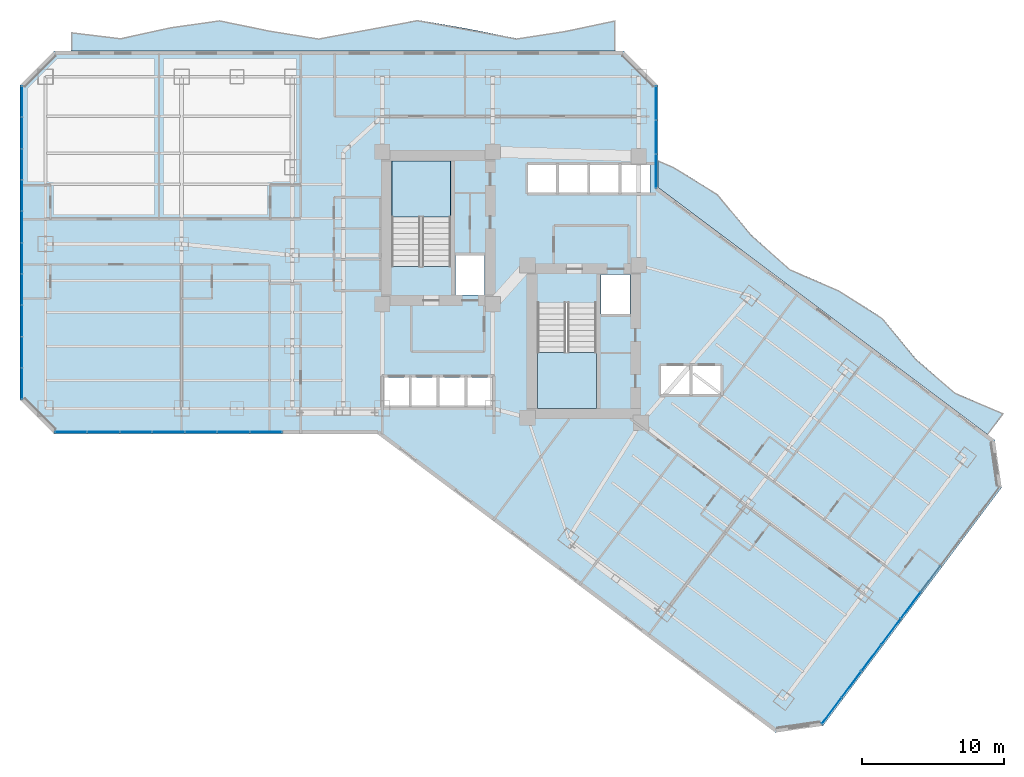
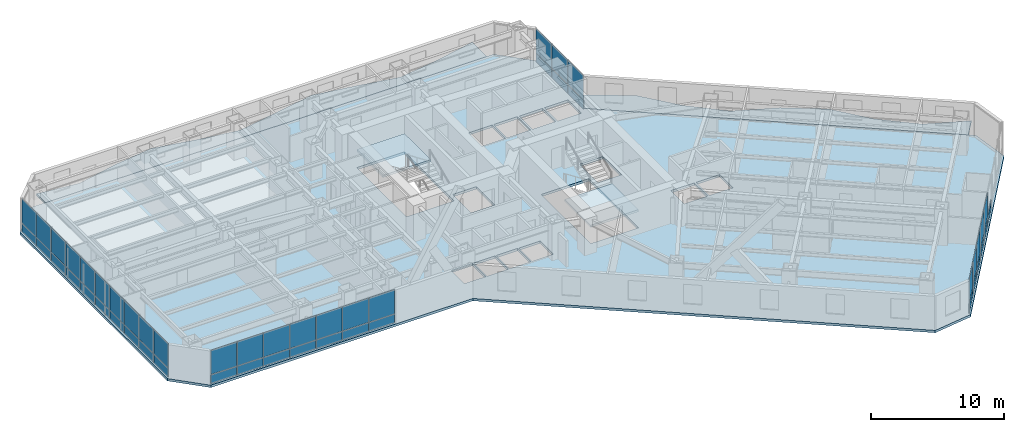
# One storey, part 20 of 33: 51 plates, 5 slabs, 6 elements without a shape of their own.
"""IFC4 building model written with IfcOpenShell, lengths in metres."""

import ifcopenshell
import ifcopenshell.guid

model = None  # the IFC model being written
_history = None  # IfcOwnerHistory: only IFC2X3 demands one
_inside = {}  # id of a spatial element -> (the spatial element, [elements in it])
_under = {}  # id of a project, library or spatial element -> (it, [spatial elements below it])
_declared = {}  # id of a project -> (the project, [libraries it declares])
_typed = {}  # id of a type object -> (the type object, [elements of that type])
_made_of = {}  # id of a material, layer set ... -> (it, [elements and type objects made of it])


def new_model(schema):
    """Start an empty IFC model of exactly this schema.

    Asked for "IFC4X3", IfcOpenShell would pick the latest addendum, in which some entities
    have other attributes; the version numbers below select the first issue.
    IFC2X3 requires an IfcOwnerHistory on every rooted entity: one is made here for all.
    """
    global model, _history
    if schema == "IFC4X3":
        model = ifcopenshell.file(schema_version=(4, 3, 0, 0))
    else:
        model = ifcopenshell.file(schema=schema)
    _inside.clear()
    _under.clear()
    _declared.clear()
    _typed.clear()
    _made_of.clear()
    _history = None
    if model.schema == "IFC2X3":
        org = make("IfcOrganization", Name="unknown")
        user = make(
            "IfcPersonAndOrganization",
            ThePerson=make("IfcPerson", FamilyName="unknown"),
            TheOrganization=org,
        )
        app = make(
            "IfcApplication",
            ApplicationDeveloper=org,
            Version="unknown",
            ApplicationFullName="unknown",
            ApplicationIdentifier="unknown",
        )
        _history = make(
            "IfcOwnerHistory",
            OwningUser=user,
            OwningApplication=app,
            ChangeAction="ADDED",
            CreationDate=0,
        )
    return model


def make(cls, **values):
    """One entity of the class cls with the attributes given. An attribute that is None is left unset."""
    return model.create_entity(
        cls, **{name: value for name, value in values.items() if value is not None}
    )


def rooted(cls, **values):
    """An entity with a GlobalId (a new one), such as an element, a storey or a relation."""
    return make(cls, GlobalId=ifcopenshell.guid.new(), OwnerHistory=_history, **values)


def si_unit(unit_type, name, prefix=None):
    """IfcSIUnit, for example si_unit("LENGTHUNIT", "METRE", prefix="MILLI")."""
    return make("IfcSIUnit", UnitType=unit_type, Prefix=prefix, Name=name)


def assignment(units):
    """IfcUnitAssignment: the units of a project."""
    return None if units is None else make("IfcUnitAssignment", Units=units)


def point(xyz):
    """IfcCartesianPoint."""
    return None if xyz is None else make("IfcCartesianPoint", Coordinates=xyz)


def direction(xyz):
    """IfcDirection."""
    return None if xyz is None else make("IfcDirection", DirectionRatios=xyz)


def frame(location, z_axis=None, x_axis=None):
    """IfcAxis2Placement3D, a coordinate frame: its origin and axes. An axis left out is left unset."""
    return make(
        "IfcAxis2Placement3D",
        Location=point(location),
        Axis=direction(z_axis),
        RefDirection=direction(x_axis),
    )


def frame_2d(location, x_axis=None):
    """IfcAxis2Placement2D, a coordinate frame in the plane: its origin and x axis."""
    return make(
        "IfcAxis2Placement2D", Location=point(location), RefDirection=direction(x_axis)
    )


def origin():
    """The frame at (0, 0, 0) with its axes left unset."""
    return frame((0.0, 0.0, 0.0))


def origin_2d():
    """The frame at (0, 0) in the plane with its x axis left unset."""
    return frame_2d((0.0, 0.0))


def place(relative_to, where):
    """IfcLocalPlacement: puts the frame where relative to a parent placement (None: the world)."""
    return make(
        "IfcLocalPlacement", PlacementRelTo=relative_to, RelativePlacement=where
    )


def context(
    kind, dimensions, precision=None, world=None, true_north=None, identifier=None
):
    """IfcGeometricRepresentationContext, for example the 3D "Model" context."""
    return make(
        "IfcGeometricRepresentationContext",
        ContextIdentifier=identifier,
        ContextType=kind,
        CoordinateSpaceDimension=dimensions,
        Precision=precision,
        WorldCoordinateSystem=world,
        TrueNorth=true_north,
    )


def subcontext(parent, identifier, kind, view, scale=None):
    """IfcGeometricRepresentationSubContext, for example "Body" below "Model"."""
    return make(
        "IfcGeometricRepresentationSubContext",
        ContextIdentifier=identifier,
        ContextType=kind,
        ParentContext=parent,
        TargetScale=scale,
        TargetView=view,
    )


def project(units=None, contexts=None):
    """IfcProject with its units and contexts."""
    return rooted(
        "IfcProject",
        Name="project",
        RepresentationContexts=contexts,
        UnitsInContext=assignment(units),
    )


def spatial(cls, under=None, at=None, **own):
    """A site, building, storey or space (cls), placed at a placement, below another one or the project."""
    s = rooted(cls, ObjectPlacement=at, **own)
    if under is not None:
        _under.setdefault(under.id(), (under, []))[1].append(s)
    return s


def polyline(points):
    """IfcPolyline through the points."""
    return make("IfcPolyline", Points=[point(p) for p in points])


def profile(cls, at=None, kind="AREA", **sizes):
    """A parametric profile (cls). Its sizes go by their IFC names, for example OverallWidth=200.0."""
    return make(cls, ProfileType=kind, Position=at, **sizes)


def rectangle(**sizes):
    """IfcRectangleProfileDef."""
    return profile("IfcRectangleProfileDef", **sizes)


def outline(outer, holes=None, kind="AREA"):
    """IfcArbitraryClosedProfileDef: a profile drawn as a closed curve; with holes, ...WithVoids."""
    if holes is None:
        return make("IfcArbitraryClosedProfileDef", ProfileType=kind, OuterCurve=outer)
    return make(
        "IfcArbitraryProfileDefWithVoids",
        ProfileType=kind,
        OuterCurve=outer,
        InnerCurves=holes,
    )


def extrude(swept, where, along, depth):
    """IfcExtrudedAreaSolid: the profile swept, set in the frame where, extruded along a direction by depth."""
    return make(
        "IfcExtrudedAreaSolid",
        SweptArea=swept,
        Position=where,
        ExtrudedDirection=direction(along),
        Depth=depth,
    )


def shape(context_of_items, identifier, shape_type, items):
    """IfcShapeRepresentation: the items that make up one representation, for example the "Body"."""
    return make(
        "IfcShapeRepresentation",
        ContextOfItems=context_of_items,
        RepresentationIdentifier=identifier,
        RepresentationType=shape_type,
        Items=items,
    )


def material(Name=None, Category=None):
    """IfcMaterial."""
    return make("IfcMaterial", Name=Name, Category=Category)


def layer(
    of_material, thickness, ventilated=None, Name=None, Category=None, Priority=None
):
    """IfcMaterialLayer: one layer of a wall or slab, of a material (None: an air gap)."""
    return make(
        "IfcMaterialLayer",
        Material=of_material,
        LayerThickness=thickness,
        IsVentilated=ventilated,
        Name=Name,
        Category=Category,
        Priority=Priority,
    )


def layer_set(layers, Name=None):
    """IfcMaterialLayerSet."""
    return make("IfcMaterialLayerSet", MaterialLayers=layers, LayerSetName=Name)


def made_of(thing, what):
    """Note that an element or type object is made of a material, layer set ...; save() writes the relation."""
    if what is not None:
        _made_of.setdefault(what.id(), (what, []))[1].append(thing)
    return thing


def type_object(cls, material=None, **own):
    """A type object (cls), such as IfcWallType, which elements share."""
    return made_of(rooted(cls, **own), material)


def element(
    cls,
    number,
    at=None,
    inside=None,
    cuts=None,
    type_object=None,
    material=None,
    context=None,
    identifier="Body",
    shape_type=None,
    held_by="IfcProductDefinitionShape",
    body=None,
    shapes=None,
    **own,
):
    """One element of the class cls, such as IfcWall. Its Tag is "e" and its number.

    at: its placement. inside: the storey or other place that contains it. cuts: it is an
    opening in that element (IfcRelVoidsElement). A single representation is given by context,
    identifier, shape_type and body (its items); several are given by shapes. held_by: the class
    of the entity that holds the representations. save() writes the other relations.
    """
    e = rooted(cls, Tag="e%d" % number, ObjectPlacement=at, **own)
    if body is not None:
        shapes = [shape(context, identifier, shape_type, body)]
    if shapes is not None:
        e.Representation = make(held_by, Representations=shapes)
    if inside is not None:
        _inside.setdefault(inside.id(), (inside, []))[1].append(e)
    if cuts is not None:
        rooted(
            "IfcRelVoidsElement", RelatingBuildingElement=cuts, RelatedOpeningElement=e
        )
    if type_object is not None:
        _typed.setdefault(type_object.id(), (type_object, []))[1].append(e)
    return made_of(e, material)


def aggregate(whole, parts):
    """IfcRelAggregates: a whole, such as a stair, and the parts it consists of."""
    return rooted("IfcRelAggregates", RelatingObject=whole, RelatedObjects=parts)


def save(model, path):
    """Write the relations noted so far, then the file.

    IfcRelAggregates (storeys below a building ...), IfcRelContainedInSpatialStructure (elements
    in a storey), IfcRelDefinesByType, IfcRelAssociatesMaterial and IfcRelDeclares: one each for
    every whole, place, type object, material and project.
    """
    for whole, parts in _under.values():
        aggregate(whole, parts)
    for where, things in _inside.values():
        rooted(
            "IfcRelContainedInSpatialStructure",
            RelatedElements=things,
            RelatingStructure=where,
        )
    for kind, things in _typed.values():
        rooted("IfcRelDefinesByType", RelatedObjects=things, RelatingType=kind)
    for what, things in _made_of.values():
        rooted("IfcRelAssociatesMaterial", RelatedObjects=things, RelatingMaterial=what)
    for by, libraries in _declared.values():
        rooted("IfcRelDeclares", RelatingContext=by, RelatedDefinitions=libraries)
    model.write(path)


model = new_model("IFC4")

# Units and contexts
model_context = context("Model", 3, precision=1e-05, world=origin(), true_north=direction((0.0, 1.0)))
body_context = subcontext(model_context, "Body", "Model", "MODEL_VIEW")
ifc_project = project(units=[si_unit("LENGTHUNIT", "METRE"), si_unit("AREAUNIT", "SQUARE_METRE"), si_unit("VOLUMEUNIT", "CUBIC_METRE"), si_unit("PLANEANGLEUNIT", "RADIAN"), si_unit("MASSUNIT", "GRAM", prefix="KILO")], contexts=[model_context])

# Site, building, storey
site_placement = place(None, origin())
site = spatial("IfcSite", under=ifc_project, at=site_placement, CompositionType="ELEMENT")
building_placement = place(site_placement, origin())
building = spatial("IfcBuilding", under=site, at=building_placement, Name="Hatsunagi Terrace Concourse", CompositionType="ELEMENT")
storey_placement = place(building_placement, frame((0.0, 0.0, 53.35009765625)))
storey = spatial("IfcBuildingStorey", under=building, at=storey_placement, Name="L13", CompositionType="ELEMENT", Elevation=53.35009765625)

# Curtain wall, plates
ifc_material_1 = material(Name="Anodised Aluminium Alloy 6063-T5", Category="aluminium")
ifc_layer_1 = layer(ifc_material_1, 0.199951171875)
ifc_layer_set_1 = layer_set([ifc_layer_1], Name="HotelFacade_CW02")
curtain_wall_type = type_object("IfcCurtainWallType", Name="HotelFacade_CW02", PredefinedType="NOTDEFINED", material=ifc_layer_set_1)
curtain_wall_1_placement = place(storey_placement, origin())
curtain_wall_1 = element("IfcCurtainWall", 1, at=curtain_wall_1_placement, inside=storey, type_object=curtain_wall_type, Name="Unitised Curtain Wall CW-02 CW-L13-03", PredefinedType="NOTDEFINED")
ifc_material_2 = material(Name="Warm Terracotta Ceramic Spandrel Panel", Category="masonry")
ifc_layer_2 = layer(ifc_material_2, 0.031982421875)
ifc_layer_set_2 = layer_set([ifc_layer_2], Name="CurtainWallSpandrelPanel_32")
plate_type_1 = type_object("IfcPlateType", Name="CurtainWallSpandrelPanel_32", PredefinedType="SHEET", material=ifc_layer_set_2)
plate_1_placement = place(storey_placement, frame((64.219970703125, 13.159912109375, 0.02978515625), z_axis=(0.0, 0.0, 1.0), x_axis=(-0.599969314634, -0.800023013105, 0.0)))
plate_1 = element("IfcPlate", 2, at=plate_1_placement, type_object=plate_type_1, Name="Terracotta Spandrel Panel SPN-01", PredefinedType="SHEET", context=body_context, shape_type="SweptSolid", body=[
    extrude(rectangle(XDim=2.264892578125, YDim=0.031982421875, at=origin_2d()), origin(), (0.0, 0.0, 1.0), 0.7900390625),
])
plate_2_placement = place(storey_placement, frame((62.827880859375, 11.303955078125, 0.02978515625), z_axis=(0.0, 0.0, 1.0), x_axis=(-0.599969314634, -0.800023013105, 0.0)))
plate_2 = element("IfcPlate", 3, at=plate_2_placement, type_object=plate_type_1, Name="Terracotta Spandrel Panel SPN-01", PredefinedType="SHEET", context=body_context, shape_type="SweptSolid", body=[
    extrude(rectangle(XDim=2.264892578125, YDim=0.031982421875, at=origin_2d()), origin(), (0.0, 0.0, 1.0), 0.7900390625),
])
plate_3_placement = place(storey_placement, frame((61.43603515625, 9.447998046875, 0.02978515625), z_axis=(0.0, 0.0, 1.0), x_axis=(-0.599969314634, -0.800023013105, 0.0)))
plate_3 = element("IfcPlate", 4, at=plate_3_placement, type_object=plate_type_1, Name="Terracotta Spandrel Panel SPN-01", PredefinedType="SHEET", context=body_context, shape_type="SweptSolid", body=[
    extrude(rectangle(XDim=2.264892578125, YDim=0.031982421875, at=origin_2d()), origin(), (0.0, 0.0, 1.0), 0.7900390625),
])
plate_4_placement = place(storey_placement, frame((60.0439453125, 7.591064453125, 0.02978515625), z_axis=(0.0, 0.0, 1.0), x_axis=(-0.599969314634, -0.800023013105, 0.0)))
plate_4 = element("IfcPlate", 5, at=plate_4_placement, type_object=plate_type_1, Name="Terracotta Spandrel Panel SPN-01", PredefinedType="SHEET", context=body_context, shape_type="SweptSolid", body=[
    extrude(rectangle(XDim=2.264892578125, YDim=0.031982421875, at=origin_2d()), origin(), (0.0, 0.0, 1.0), 0.7900390625),
])
plate_5_placement = place(storey_placement, frame((58.65087890625, 5.735107421875, 0.02978515625), z_axis=(0.0, 0.0, 1.0), x_axis=(-0.599969314634, -0.800023013105, 0.0)))
plate_5 = element("IfcPlate", 6, at=plate_5_placement, type_object=plate_type_1, Name="Terracotta Spandrel Panel SPN-01", PredefinedType="SHEET", context=body_context, shape_type="SweptSolid", body=[
    extrude(rectangle(XDim=2.264892578125, YDim=0.031982421875, at=origin_2d()), origin(), (0.0, 0.0, 1.0), 0.7900390625),
])
plate_6_placement = place(storey_placement, frame((57.259033203125, 3.8779296875, 0.02978515625), z_axis=(0.0, 0.0, 1.0), x_axis=(-0.599969314634, -0.800023013105, 0.0)))
plate_6 = element("IfcPlate", 7, at=plate_6_placement, type_object=plate_type_1, Name="Terracotta Spandrel Panel SPN-01", PredefinedType="SHEET", context=body_context, shape_type="SweptSolid", body=[
    extrude(rectangle(XDim=2.264892578125, YDim=0.031982421875, at=origin_2d()), origin(), (0.0, 0.0, 1.0), 0.7900390625),
])

curtain_wall_2_placement = place(storey_placement, origin())
curtain_wall_2 = element("IfcCurtainWall", 8, at=curtain_wall_2_placement, inside=storey, type_object=curtain_wall_type, Name="Unitised Curtain Wall CW-02 CW-L13-07", PredefinedType="NOTDEFINED")
plate_7_placement = place(storey_placement, frame((17.35400390625, 23.5400390625, 0.02978515625), z_axis=(0.0, 0.0, 1.0), x_axis=(-1.0, 0.0, 0.0)))
plate_7 = element("IfcPlate", 9, at=plate_7_placement, type_object=plate_type_1, Name="Terracotta Spandrel Panel SPN-01", PredefinedType="SHEET", context=body_context, shape_type="SweptSolid", body=[
    extrude(rectangle(XDim=2.237060546875, YDim=0.031982421875, at=origin_2d()), origin(), (0.0, 0.0, 1.0), 0.7900390625),
])
plate_8_placement = place(storey_placement, frame((15.06201171875, 23.5400390625, 0.02978515625), z_axis=(0.0, 0.0, 1.0), x_axis=(-1.0, 0.0, 0.0)))
plate_8 = element("IfcPlate", 10, at=plate_8_placement, type_object=plate_type_1, Name="Terracotta Spandrel Panel SPN-01", PredefinedType="SHEET", context=body_context, shape_type="SweptSolid", body=[
    extrude(rectangle(XDim=2.237060546875, YDim=0.031982421875, at=origin_2d()), origin(), (0.0, 0.0, 1.0), 0.7900390625),
])
plate_9_placement = place(storey_placement, frame((12.77099609375, 23.5400390625, 0.02978515625), z_axis=(0.0, 0.0, 1.0), x_axis=(-1.0, 0.0, 0.0)))
plate_9 = element("IfcPlate", 11, at=plate_9_placement, type_object=plate_type_1, Name="Terracotta Spandrel Panel SPN-01", PredefinedType="SHEET", context=body_context, shape_type="SweptSolid", body=[
    extrude(rectangle(XDim=2.237060546875, YDim=0.031982421875, at=origin_2d()), origin(), (0.0, 0.0, 1.0), 0.7900390625),
])
plate_10_placement = place(storey_placement, frame((10.47900390625, 23.5400390625, 0.02978515625), z_axis=(0.0, 0.0, 1.0), x_axis=(-1.0, 0.0, 0.0)))
plate_10 = element("IfcPlate", 12, at=plate_10_placement, type_object=plate_type_1, Name="Terracotta Spandrel Panel SPN-01", PredefinedType="SHEET", context=body_context, shape_type="SweptSolid", body=[
    extrude(rectangle(XDim=2.237060546875, YDim=0.031982421875, at=origin_2d()), origin(), (0.0, 0.0, 1.0), 0.7900390625),
])
plate_11_placement = place(storey_placement, frame((8.18701171875, 23.5400390625, 0.02978515625), z_axis=(0.0, 0.0, 1.0), x_axis=(-1.0, 0.0, 0.0)))
plate_11 = element("IfcPlate", 13, at=plate_11_placement, type_object=plate_type_1, Name="Terracotta Spandrel Panel SPN-01", PredefinedType="SHEET", context=body_context, shape_type="SweptSolid", body=[
    extrude(rectangle(XDim=2.237060546875, YDim=0.031982421875, at=origin_2d()), origin(), (0.0, 0.0, 1.0), 0.7900390625),
])
plate_12_placement = place(storey_placement, frame((5.89599609375, 23.5400390625, 0.02978515625), z_axis=(0.0, 0.0, 1.0), x_axis=(-1.0, 0.0, 0.0)))
plate_12 = element("IfcPlate", 14, at=plate_12_placement, type_object=plate_type_1, Name="Terracotta Spandrel Panel SPN-01", PredefinedType="SHEET", context=body_context, shape_type="SweptSolid", body=[
    extrude(rectangle(XDim=2.237060546875, YDim=0.031982421875, at=origin_2d()), origin(), (0.0, 0.0, 1.0), 0.7900390625),
])
plate_13_placement = place(storey_placement, frame((3.60400390625, 23.5400390625, 0.02978515625), z_axis=(0.0, 0.0, 1.0), x_axis=(-1.0, 0.0, 0.0)))
plate_13 = element("IfcPlate", 15, at=plate_13_placement, type_object=plate_type_1, Name="Terracotta Spandrel Panel SPN-01", PredefinedType="SHEET", context=body_context, shape_type="SweptSolid", body=[
    extrude(rectangle(XDim=2.237060546875, YDim=0.031982421875, at=origin_2d()), origin(), (0.0, 0.0, 1.0), 0.7900390625),
])

curtain_wall_3_placement = place(storey_placement, origin())
curtain_wall_3 = element("IfcCurtainWall", 16, at=curtain_wall_3_placement, inside=storey, type_object=curtain_wall_type, Name="Unitised Curtain Wall CW-02 CW-L13-09", PredefinedType="NOTDEFINED")
plate_14_placement = place(storey_placement, frame((0.139892578125, 26.9619140625, 0.02978515625), z_axis=(0.0, 0.0, 1.0), x_axis=(0.0, 1.0, 0.0)))
plate_14 = element("IfcPlate", 17, at=plate_14_placement, type_object=plate_type_1, Name="Terracotta Spandrel Panel SPN-01", PredefinedType="SHEET", context=body_context, shape_type="SweptSolid", body=[
    extrude(rectangle(XDim=2.153076171875, YDim=0.031982421875, at=origin_2d()), origin(), (0.0, 0.0, 1.0), 0.7900390625),
])
plate_15_placement = place(storey_placement, frame((0.139892578125, 29.1708984375, 0.02978515625), z_axis=(0.0, 0.0, 1.0), x_axis=(0.0, 1.0, 0.0)))
plate_15 = element("IfcPlate", 18, at=plate_15_placement, type_object=plate_type_1, Name="Terracotta Spandrel Panel SPN-01", PredefinedType="SHEET", context=body_context, shape_type="SweptSolid", body=[
    extrude(rectangle(XDim=2.153076171875, YDim=0.031982421875, at=origin_2d()), origin(), (0.0, 0.0, 1.0), 0.7900390625),
])
plate_16_placement = place(storey_placement, frame((0.139892578125, 31.37890625, 0.02978515625), z_axis=(0.0, 0.0, 1.0), x_axis=(0.0, 1.0, 0.0)))
plate_16 = element("IfcPlate", 19, at=plate_16_placement, type_object=plate_type_1, Name="Terracotta Spandrel Panel SPN-01", PredefinedType="SHEET", context=body_context, shape_type="SweptSolid", body=[
    extrude(rectangle(XDim=2.153076171875, YDim=0.031982421875, at=origin_2d()), origin(), (0.0, 0.0, 1.0), 0.7900390625),
])
plate_17_placement = place(storey_placement, frame((0.139892578125, 33.5869140625, 0.02978515625), z_axis=(0.0, 0.0, 1.0), x_axis=(0.0, 1.0, 0.0)))
plate_17 = element("IfcPlate", 20, at=plate_17_placement, type_object=plate_type_1, Name="Terracotta Spandrel Panel SPN-01", PredefinedType="SHEET", context=body_context, shape_type="SweptSolid", body=[
    extrude(rectangle(XDim=2.153076171875, YDim=0.031982421875, at=origin_2d()), origin(), (0.0, 0.0, 1.0), 0.7900390625),
])
plate_18_placement = place(storey_placement, frame((0.139892578125, 35.7958984375, 0.02978515625), z_axis=(0.0, 0.0, 1.0), x_axis=(0.0, 1.0, 0.0)))
plate_18 = element("IfcPlate", 21, at=plate_18_placement, type_object=plate_type_1, Name="Terracotta Spandrel Panel SPN-01", PredefinedType="SHEET", context=body_context, shape_type="SweptSolid", body=[
    extrude(rectangle(XDim=2.153076171875, YDim=0.031982421875, at=origin_2d()), origin(), (0.0, 0.0, 1.0), 0.7900390625),
])
plate_19_placement = place(storey_placement, frame((0.139892578125, 38.00390625, 0.02978515625), z_axis=(0.0, 0.0, 1.0), x_axis=(0.0, 1.0, 0.0)))
plate_19 = element("IfcPlate", 22, at=plate_19_placement, type_object=plate_type_1, Name="Terracotta Spandrel Panel SPN-01", PredefinedType="SHEET", context=body_context, shape_type="SweptSolid", body=[
    extrude(rectangle(XDim=2.153076171875, YDim=0.031982421875, at=origin_2d()), origin(), (0.0, 0.0, 1.0), 0.7900390625),
])
plate_20_placement = place(storey_placement, frame((0.139892578125, 40.212890625, 0.02978515625), z_axis=(0.0, 0.0, 1.0), x_axis=(0.0, 1.0, 0.0)))
plate_20 = element("IfcPlate", 23, at=plate_20_placement, type_object=plate_type_1, Name="Terracotta Spandrel Panel SPN-01", PredefinedType="SHEET", context=body_context, shape_type="SweptSolid", body=[
    extrude(rectangle(XDim=2.153076171875, YDim=0.031982421875, at=origin_2d()), origin(), (0.0, 0.0, 1.0), 0.7900390625),
])
plate_21_placement = place(storey_placement, frame((0.139892578125, 42.4208984375, 0.02978515625), z_axis=(0.0, 0.0, 1.0), x_axis=(0.0, 1.0, 0.0)))
plate_21 = element("IfcPlate", 24, at=plate_21_placement, type_object=plate_type_1, Name="Terracotta Spandrel Panel SPN-01", PredefinedType="SHEET", context=body_context, shape_type="SweptSolid", body=[
    extrude(rectangle(XDim=2.153076171875, YDim=0.031982421875, at=origin_2d()), origin(), (0.0, 0.0, 1.0), 0.7900390625),
])
plate_22_placement = place(storey_placement, frame((0.139892578125, 44.62890625, 0.02978515625), z_axis=(0.0, 0.0, 1.0), x_axis=(0.0, 1.0, 0.0)))
plate_22 = element("IfcPlate", 25, at=plate_22_placement, type_object=plate_type_1, Name="Terracotta Spandrel Panel SPN-01", PredefinedType="SHEET", context=body_context, shape_type="SweptSolid", body=[
    extrude(rectangle(XDim=2.153076171875, YDim=0.031982421875, at=origin_2d()), origin(), (0.0, 0.0, 1.0), 0.7900390625),
])
plate_23_placement = place(storey_placement, frame((0.139892578125, 46.837890625, 0.02978515625), z_axis=(0.0, 0.0, 1.0), x_axis=(0.0, 1.0, 0.0)))
plate_23 = element("IfcPlate", 26, at=plate_23_placement, type_object=plate_type_1, Name="Terracotta Spandrel Panel SPN-01", PredefinedType="SHEET", context=body_context, shape_type="SweptSolid", body=[
    extrude(rectangle(XDim=2.153076171875, YDim=0.031982421875, at=origin_2d()), origin(), (0.0, 0.0, 1.0), 0.7900390625),
])

curtain_wall_4_placement = place(storey_placement, origin())
curtain_wall_4 = element("IfcCurtainWall", 27, at=curtain_wall_4_placement, inside=storey, type_object=curtain_wall_type, Name="Unitised Curtain Wall CW-02 CW-L13-13", PredefinedType="NOTDEFINED")
plate_24_placement = place(storey_placement, frame((44.860107421875, 46.739990234375, 0.02978515625), z_axis=(0.0, 0.0, 1.0), x_axis=(0.0, -1.0, 0.0)))
plate_24 = element("IfcPlate", 28, at=plate_24_placement, type_object=plate_type_1, Name="Terracotta Spandrel Panel SPN-01", PredefinedType="SHEET", context=body_context, shape_type="SweptSolid", body=[
    extrude(rectangle(XDim=2.34912109375, YDim=0.031982421875, at=origin_2d()), origin(), (0.0, 0.0, 1.0), 0.7900390625),
])
plate_25_placement = place(storey_placement, frame((44.860107421875, 44.3359375, 0.02978515625), z_axis=(0.0, 0.0, 1.0), x_axis=(0.0, -1.0, 0.0)))
plate_25 = element("IfcPlate", 29, at=plate_25_placement, type_object=plate_type_1, Name="Terracotta Spandrel Panel SPN-01", PredefinedType="SHEET", context=body_context, shape_type="SweptSolid", body=[
    extrude(rectangle(XDim=2.34912109375, YDim=0.031982421875, at=origin_2d()), origin(), (0.0, 0.0, 1.0), 0.7900390625),
])
plate_26_placement = place(storey_placement, frame((44.860107421875, 41.931884765625, 0.02978515625), z_axis=(0.0, 0.0, 1.0), x_axis=(0.0, -1.0, 0.0)))
plate_26 = element("IfcPlate", 30, at=plate_26_placement, type_object=plate_type_1, Name="Terracotta Spandrel Panel SPN-01", PredefinedType="SHEET", context=body_context, shape_type="SweptSolid", body=[
    extrude(rectangle(XDim=2.34912109375, YDim=0.031982421875, at=origin_2d()), origin(), (0.0, 0.0, 1.0), 0.7900390625),
])

# Plate
ifc_material_3 = material(Name="Low-E Double Insulating Glass 28mm", Category="glass")
ifc_layer_3 = layer(ifc_material_3, 0.028076171875)
ifc_layer_set_3 = layer_set([ifc_layer_3], Name="CurtainWallVisionGlass_28")
plate_type_2 = type_object("IfcPlateType", Name="CurtainWallVisionGlass_28", PredefinedType="CURTAIN_PANEL", material=ifc_layer_set_3)
plate_27_placement = place(storey_placement, frame((62.827880859375, 11.303955078125, 0.8798828125), z_axis=(0.0, 0.0, 1.0), x_axis=(-0.599969314634, -0.800023013105, 0.0)))
plate_27 = element("IfcPlate", 31, at=plate_27_placement, type_object=plate_type_2, Name="Low-E Vision Glass Panel GLZ-01", PredefinedType="CURTAIN_PANEL", context=body_context, shape_type="SweptSolid", body=[
    extrude(rectangle(XDim=2.264892578125, YDim=0.028076171875, at=origin_2d()), origin(), (0.0, 0.0, 1.0), 2.219970703125),
])

plate_28_placement = place(storey_placement, frame((61.43603515625, 9.447998046875, 0.8798828125), z_axis=(0.0, 0.0, 1.0), x_axis=(-0.599969314634, -0.800023013105, 0.0)))
plate_28 = element("IfcPlate", 32, at=plate_28_placement, type_object=plate_type_2, Name="Low-E Vision Glass Panel GLZ-01", PredefinedType="CURTAIN_PANEL", context=body_context, shape_type="SweptSolid", body=[
    extrude(rectangle(XDim=2.264892578125, YDim=0.028076171875, at=origin_2d()), origin(), (0.0, 0.0, 1.0), 2.219970703125),
])

plate_29_placement = place(storey_placement, frame((60.0439453125, 7.591064453125, 0.8798828125), z_axis=(0.0, 0.0, 1.0), x_axis=(-0.599969314634, -0.800023013105, 0.0)))
plate_29 = element("IfcPlate", 33, at=plate_29_placement, type_object=plate_type_2, Name="Low-E Vision Glass Panel GLZ-01", PredefinedType="CURTAIN_PANEL", context=body_context, shape_type="SweptSolid", body=[
    extrude(rectangle(XDim=2.264892578125, YDim=0.028076171875, at=origin_2d()), origin(), (0.0, 0.0, 1.0), 2.219970703125),
])

plate_30_placement = place(storey_placement, frame((58.65087890625, 5.735107421875, 0.8798828125), z_axis=(0.0, 0.0, 1.0), x_axis=(-0.599969314634, -0.800023013105, 0.0)))
plate_30 = element("IfcPlate", 34, at=plate_30_placement, type_object=plate_type_2, Name="Low-E Vision Glass Panel GLZ-01", PredefinedType="CURTAIN_PANEL", context=body_context, shape_type="SweptSolid", body=[
    extrude(rectangle(XDim=2.264892578125, YDim=0.028076171875, at=origin_2d()), origin(), (0.0, 0.0, 1.0), 2.219970703125),
])

plate_31_placement = place(storey_placement, frame((57.259033203125, 3.8779296875, 0.8798828125), z_axis=(0.0, 0.0, 1.0), x_axis=(-0.599969314634, -0.800023013105, 0.0)))
plate_31 = element("IfcPlate", 35, at=plate_31_placement, type_object=plate_type_2, Name="Low-E Vision Glass Panel GLZ-01", PredefinedType="CURTAIN_PANEL", context=body_context, shape_type="SweptSolid", body=[
    extrude(rectangle(XDim=2.264892578125, YDim=0.028076171875, at=origin_2d()), origin(), (0.0, 0.0, 1.0), 2.219970703125),
])

aggregate(curtain_wall_1, [plate_1, plate_2, plate_27, plate_3, plate_28, plate_4, plate_29, plate_5, plate_30, plate_6, plate_31])

plate_32_placement = place(storey_placement, frame((17.35400390625, 23.5400390625, 0.8798828125), z_axis=(0.0, 0.0, 1.0), x_axis=(-1.0, 0.0, 0.0)))
plate_32 = element("IfcPlate", 36, at=plate_32_placement, type_object=plate_type_2, Name="Low-E Vision Glass Panel GLZ-01", PredefinedType="CURTAIN_PANEL", context=body_context, shape_type="SweptSolid", body=[
    extrude(rectangle(XDim=2.237060546875, YDim=0.028076171875, at=origin_2d()), origin(), (0.0, 0.0, 1.0), 2.219970703125),
])

plate_33_placement = place(storey_placement, frame((15.06201171875, 23.5400390625, 0.8798828125), z_axis=(0.0, 0.0, 1.0), x_axis=(-1.0, 0.0, 0.0)))
plate_33 = element("IfcPlate", 37, at=plate_33_placement, type_object=plate_type_2, Name="Low-E Vision Glass Panel GLZ-01", PredefinedType="CURTAIN_PANEL", context=body_context, shape_type="SweptSolid", body=[
    extrude(rectangle(XDim=2.237060546875, YDim=0.028076171875, at=origin_2d()), origin(), (0.0, 0.0, 1.0), 2.219970703125),
])

plate_34_placement = place(storey_placement, frame((12.77099609375, 23.5400390625, 0.8798828125), z_axis=(0.0, 0.0, 1.0), x_axis=(-1.0, 0.0, 0.0)))
plate_34 = element("IfcPlate", 38, at=plate_34_placement, type_object=plate_type_2, Name="Low-E Vision Glass Panel GLZ-01", PredefinedType="CURTAIN_PANEL", context=body_context, shape_type="SweptSolid", body=[
    extrude(rectangle(XDim=2.237060546875, YDim=0.028076171875, at=origin_2d()), origin(), (0.0, 0.0, 1.0), 2.219970703125),
])

plate_35_placement = place(storey_placement, frame((10.47900390625, 23.5400390625, 0.8798828125), z_axis=(0.0, 0.0, 1.0), x_axis=(-1.0, 0.0, 0.0)))
plate_35 = element("IfcPlate", 39, at=plate_35_placement, type_object=plate_type_2, Name="Low-E Vision Glass Panel GLZ-01", PredefinedType="CURTAIN_PANEL", context=body_context, shape_type="SweptSolid", body=[
    extrude(rectangle(XDim=2.237060546875, YDim=0.028076171875, at=origin_2d()), origin(), (0.0, 0.0, 1.0), 2.219970703125),
])

plate_36_placement = place(storey_placement, frame((8.18701171875, 23.5400390625, 0.8798828125), z_axis=(0.0, 0.0, 1.0), x_axis=(-1.0, 0.0, 0.0)))
plate_36 = element("IfcPlate", 40, at=plate_36_placement, type_object=plate_type_2, Name="Low-E Vision Glass Panel GLZ-01", PredefinedType="CURTAIN_PANEL", context=body_context, shape_type="SweptSolid", body=[
    extrude(rectangle(XDim=2.237060546875, YDim=0.028076171875, at=origin_2d()), origin(), (0.0, 0.0, 1.0), 2.219970703125),
])

plate_37_placement = place(storey_placement, frame((5.89599609375, 23.5400390625, 0.8798828125), z_axis=(0.0, 0.0, 1.0), x_axis=(-1.0, 0.0, 0.0)))
plate_37 = element("IfcPlate", 41, at=plate_37_placement, type_object=plate_type_2, Name="Low-E Vision Glass Panel GLZ-01", PredefinedType="CURTAIN_PANEL", context=body_context, shape_type="SweptSolid", body=[
    extrude(rectangle(XDim=2.237060546875, YDim=0.028076171875, at=origin_2d()), origin(), (0.0, 0.0, 1.0), 2.219970703125),
])

plate_38_placement = place(storey_placement, frame((3.60400390625, 23.5400390625, 0.8798828125), z_axis=(0.0, 0.0, 1.0), x_axis=(-1.0, 0.0, 0.0)))
plate_38 = element("IfcPlate", 42, at=plate_38_placement, type_object=plate_type_2, Name="Low-E Vision Glass Panel GLZ-01", PredefinedType="CURTAIN_PANEL", context=body_context, shape_type="SweptSolid", body=[
    extrude(rectangle(XDim=2.237060546875, YDim=0.028076171875, at=origin_2d()), origin(), (0.0, 0.0, 1.0), 2.219970703125),
])

aggregate(curtain_wall_2, [plate_7, plate_32, plate_8, plate_33, plate_9, plate_34, plate_10, plate_35, plate_11, plate_36, plate_12, plate_37, plate_13, plate_38])

plate_39_placement = place(storey_placement, frame((0.139892578125, 26.9619140625, 0.8798828125), z_axis=(0.0, 0.0, 1.0), x_axis=(0.0, 1.0, 0.0)))
plate_39 = element("IfcPlate", 43, at=plate_39_placement, type_object=plate_type_2, Name="Low-E Vision Glass Panel GLZ-01", PredefinedType="CURTAIN_PANEL", context=body_context, shape_type="SweptSolid", body=[
    extrude(rectangle(XDim=2.153076171875, YDim=0.028076171875, at=origin_2d()), origin(), (0.0, 0.0, 1.0), 2.219970703125),
])

plate_40_placement = place(storey_placement, frame((0.139892578125, 29.1708984375, 0.8798828125), z_axis=(0.0, 0.0, 1.0), x_axis=(0.0, 1.0, 0.0)))
plate_40 = element("IfcPlate", 44, at=plate_40_placement, type_object=plate_type_2, Name="Low-E Vision Glass Panel GLZ-01", PredefinedType="CURTAIN_PANEL", context=body_context, shape_type="SweptSolid", body=[
    extrude(rectangle(XDim=2.153076171875, YDim=0.028076171875, at=origin_2d()), origin(), (0.0, 0.0, 1.0), 2.219970703125),
])

plate_41_placement = place(storey_placement, frame((0.139892578125, 31.37890625, 0.8798828125), z_axis=(0.0, 0.0, 1.0), x_axis=(0.0, 1.0, 0.0)))
plate_41 = element("IfcPlate", 45, at=plate_41_placement, type_object=plate_type_2, Name="Low-E Vision Glass Panel GLZ-01", PredefinedType="CURTAIN_PANEL", context=body_context, shape_type="SweptSolid", body=[
    extrude(rectangle(XDim=2.153076171875, YDim=0.028076171875, at=origin_2d()), origin(), (0.0, 0.0, 1.0), 2.219970703125),
])

plate_42_placement = place(storey_placement, frame((0.139892578125, 33.5869140625, 0.8798828125), z_axis=(0.0, 0.0, 1.0), x_axis=(0.0, 1.0, 0.0)))
plate_42 = element("IfcPlate", 46, at=plate_42_placement, type_object=plate_type_2, Name="Low-E Vision Glass Panel GLZ-01", PredefinedType="CURTAIN_PANEL", context=body_context, shape_type="SweptSolid", body=[
    extrude(rectangle(XDim=2.153076171875, YDim=0.028076171875, at=origin_2d()), origin(), (0.0, 0.0, 1.0), 2.219970703125),
])

plate_43_placement = place(storey_placement, frame((0.139892578125, 35.7958984375, 0.8798828125), z_axis=(0.0, 0.0, 1.0), x_axis=(0.0, 1.0, 0.0)))
plate_43 = element("IfcPlate", 47, at=plate_43_placement, type_object=plate_type_2, Name="Low-E Vision Glass Panel GLZ-01", PredefinedType="CURTAIN_PANEL", context=body_context, shape_type="SweptSolid", body=[
    extrude(rectangle(XDim=2.153076171875, YDim=0.028076171875, at=origin_2d()), origin(), (0.0, 0.0, 1.0), 2.219970703125),
])

plate_44_placement = place(storey_placement, frame((0.139892578125, 38.00390625, 0.8798828125), z_axis=(0.0, 0.0, 1.0), x_axis=(0.0, 1.0, 0.0)))
plate_44 = element("IfcPlate", 48, at=plate_44_placement, type_object=plate_type_2, Name="Low-E Vision Glass Panel GLZ-01", PredefinedType="CURTAIN_PANEL", context=body_context, shape_type="SweptSolid", body=[
    extrude(rectangle(XDim=2.153076171875, YDim=0.028076171875, at=origin_2d()), origin(), (0.0, 0.0, 1.0), 2.219970703125),
])

plate_45_placement = place(storey_placement, frame((0.139892578125, 40.212890625, 0.8798828125), z_axis=(0.0, 0.0, 1.0), x_axis=(0.0, 1.0, 0.0)))
plate_45 = element("IfcPlate", 49, at=plate_45_placement, type_object=plate_type_2, Name="Low-E Vision Glass Panel GLZ-01", PredefinedType="CURTAIN_PANEL", context=body_context, shape_type="SweptSolid", body=[
    extrude(rectangle(XDim=2.153076171875, YDim=0.028076171875, at=origin_2d()), origin(), (0.0, 0.0, 1.0), 2.219970703125),
])

plate_46_placement = place(storey_placement, frame((0.139892578125, 42.4208984375, 0.8798828125), z_axis=(0.0, 0.0, 1.0), x_axis=(0.0, 1.0, 0.0)))
plate_46 = element("IfcPlate", 50, at=plate_46_placement, type_object=plate_type_2, Name="Low-E Vision Glass Panel GLZ-01", PredefinedType="CURTAIN_PANEL", context=body_context, shape_type="SweptSolid", body=[
    extrude(rectangle(XDim=2.153076171875, YDim=0.028076171875, at=origin_2d()), origin(), (0.0, 0.0, 1.0), 2.219970703125),
])

plate_47_placement = place(storey_placement, frame((0.139892578125, 44.62890625, 0.8798828125), z_axis=(0.0, 0.0, 1.0), x_axis=(0.0, 1.0, 0.0)))
plate_47 = element("IfcPlate", 51, at=plate_47_placement, type_object=plate_type_2, Name="Low-E Vision Glass Panel GLZ-01", PredefinedType="CURTAIN_PANEL", context=body_context, shape_type="SweptSolid", body=[
    extrude(rectangle(XDim=2.153076171875, YDim=0.028076171875, at=origin_2d()), origin(), (0.0, 0.0, 1.0), 2.219970703125),
])

plate_48_placement = place(storey_placement, frame((0.139892578125, 46.837890625, 0.8798828125), z_axis=(0.0, 0.0, 1.0), x_axis=(0.0, 1.0, 0.0)))
plate_48 = element("IfcPlate", 52, at=plate_48_placement, type_object=plate_type_2, Name="Low-E Vision Glass Panel GLZ-01", PredefinedType="CURTAIN_PANEL", context=body_context, shape_type="SweptSolid", body=[
    extrude(rectangle(XDim=2.153076171875, YDim=0.028076171875, at=origin_2d()), origin(), (0.0, 0.0, 1.0), 2.219970703125),
])

aggregate(curtain_wall_3, [plate_14, plate_39, plate_15, plate_40, plate_16, plate_41, plate_17, plate_42, plate_18, plate_43, plate_19, plate_44, plate_20, plate_45, plate_21, plate_46, plate_22, plate_47, plate_23, plate_48])

plate_49_placement = place(storey_placement, frame((44.860107421875, 46.739990234375, 0.8798828125), z_axis=(0.0, 0.0, 1.0), x_axis=(0.0, -1.0, 0.0)))
plate_49 = element("IfcPlate", 53, at=plate_49_placement, type_object=plate_type_2, Name="Low-E Vision Glass Panel GLZ-01", PredefinedType="CURTAIN_PANEL", context=body_context, shape_type="SweptSolid", body=[
    extrude(rectangle(XDim=2.34912109375, YDim=0.028076171875, at=origin_2d()), origin(), (0.0, 0.0, 1.0), 2.219970703125),
])

plate_50_placement = place(storey_placement, frame((44.860107421875, 44.3359375, 0.8798828125), z_axis=(0.0, 0.0, 1.0), x_axis=(0.0, -1.0, 0.0)))
plate_50 = element("IfcPlate", 54, at=plate_50_placement, type_object=plate_type_2, Name="Low-E Vision Glass Panel GLZ-01", PredefinedType="CURTAIN_PANEL", context=body_context, shape_type="SweptSolid", body=[
    extrude(rectangle(XDim=2.34912109375, YDim=0.028076171875, at=origin_2d()), origin(), (0.0, 0.0, 1.0), 2.219970703125),
])

plate_51_placement = place(storey_placement, frame((44.860107421875, 41.931884765625, 0.8798828125), z_axis=(0.0, 0.0, 1.0), x_axis=(0.0, -1.0, 0.0)))
plate_51 = element("IfcPlate", 55, at=plate_51_placement, type_object=plate_type_2, Name="Low-E Vision Glass Panel GLZ-01", PredefinedType="CURTAIN_PANEL", context=body_context, shape_type="SweptSolid", body=[
    extrude(rectangle(XDim=2.34912109375, YDim=0.028076171875, at=origin_2d()), origin(), (0.0, 0.0, 1.0), 2.219970703125),
])

aggregate(curtain_wall_4, [plate_24, plate_49, plate_25, plate_50, plate_26, plate_51])

# Stair, slab
ifc_material_4 = material(Name="Concrete Fc42", Category="concrete")
stair_type = type_object("IfcStairType", Name="DoglegExitStair_Tower2000_20R_168", PredefinedType="HALF_TURN_STAIR", material=ifc_material_4)
stair_1_placement = place(storey_placement, origin())
stair_1 = element("IfcStair", 56, at=stair_1_placement, inside=storey, type_object=stair_type, Name="L13 Core A Protected Exit Stair ST-A", PredefinedType="HALF_TURN_STAIR")
ifc_material_5 = material(Name="Concrete Fc42", Category="concrete")
ifc_layer_4 = layer(ifc_material_5, 0.199951171875)
ifc_layer_set_4 = layer_set([ifc_layer_4], Name="DoglegStairLanding_Tower2000")
slab_type_1 = type_object("IfcSlabType", Name="DoglegStairLanding_Tower2000", PredefinedType="LANDING", material=ifc_layer_set_4)
slab_1_placement = place(storey_placement, frame((0.0, 0.0, 1.474853515625)))
slab_1 = element("IfcSlab", 57, at=slab_1_placement, type_object=slab_type_1, Name="ST-A landing 1", PredefinedType="LANDING", context=body_context, shape_type="SweptSolid", body=[
    extrude(outline(polyline([(30.3798828125, 38.7099609375), (30.3798828125, 42.659912109375), (26.22998046875, 42.659912109375), (26.22998046875, 38.7099609375), (30.3798828125, 38.7099609375)])), origin(), (0.0, 0.0, 1.0), 0.199951171875),
])
aggregate(stair_1, [slab_1])

stair_2_placement = place(storey_placement, origin())
stair_2 = element("IfcStair", 58, at=stair_2_placement, inside=storey, type_object=stair_type, Name="L13 Core B Protected Exit Stair ST-B", PredefinedType="HALF_TURN_STAIR")
slab_2_placement = place(storey_placement, frame((0.0, 0.0, 1.474853515625)))
slab_2 = element("IfcSlab", 59, at=slab_2_placement, type_object=slab_type_1, Name="ST-B landing 1", PredefinedType="LANDING", context=body_context, shape_type="SweptSolid", body=[
    extrude(outline(polyline([(36.5, 29.14990234375), (36.5, 25.199951171875), (40.64990234375, 25.199951171875), (40.64990234375, 29.14990234375), (36.5, 29.14990234375)])), origin(), (0.0, 0.0, 1.0), 0.199951171875),
])
aggregate(stair_2, [slab_2])

# Slabs
ifc_material_6 = material(Name="Concrete Fc42", Category="concrete")
ifc_layer_5 = layer(ifc_material_6, 0.199951171875)
ifc_layer_set_5 = layer_set([ifc_layer_5], Name="EngawaBalconySlab_Fc42_200")
slab_type_2 = type_object("IfcSlabType", Name="EngawaBalconySlab_Fc42_200", PredefinedType="FLOOR", material=ifc_layer_set_5)
slab_3_placement = place(storey_placement, frame((0.0, 0.0, -0.2001953125)))
element("IfcSlab", 60, at=slab_3_placement, inside=storey, type_object=slab_type_2, Name="Engawa Balcony Slab BAL-L13-BN", PredefinedType="FLOOR", context=body_context, shape_type="SweptSolid", body=[
    extrude(outline(polyline([(3.60009765625, 51.7490234375), (3.60009765625, 50.39990234375), (42.0, 50.39990234375), (42.0, 52.5859375), (38.509033203125, 51.844970703125), (35.01806640625, 51.303955078125), (31.527099609375, 51.992919921875), (28.035888671875, 52.60009765625), (21.054931640625, 51.302001953125), (17.56396484375, 51.8701171875), (14.072998046875, 52.590087890625), (10.58203125, 52.091064453125), (7.091064453125, 51.322998046875), (3.60009765625, 51.7490234375)])), origin(), (0.0, 0.0, 1.0), 0.2001953125),
])
slab_4_placement = place(storey_placement, frame((0.0, 0.0, -0.2001953125)))
element("IfcSlab", 61, at=slab_4_placement, inside=storey, type_object=slab_type_2, Name="Engawa Balcony Slab BAL-L13-BSE", PredefinedType="FLOOR", context=body_context, shape_type="SweptSolid", body=[
    extrude(outline(polyline([(46.114013671875, 42.22998046875), (44.99609375, 42.717041015625), (44.99609375, 40.802978515625), (68.280029296875, 23.340087890625), (69.407958984375, 24.843994140625), (65.964111328125, 26.30810546875), (63.208984375, 28.68896484375), (60.833984375, 31.5791015625), (57.760986328125, 33.537109375), (54.326904296875, 35.013916015625), (51.60205078125, 37.43603515625), (49.218017578125, 40.31298828125), (46.114013671875, 42.22998046875)])), origin(), (0.0, 0.0, 1.0), 0.2001953125),
])
ifc_material_7 = material(Name="Concrete Fc42", Category="concrete")
ifc_layer_6 = layer(ifc_material_7, 0.219970703125)
ifc_layer_set_6 = layer_set([ifc_layer_6], Name="HotelFloorSlab_Fc42_220")
slab_type_3 = type_object("IfcSlabType", Name="HotelFloorSlab_Fc42_220", PredefinedType="FLOOR", material=ifc_layer_set_6)
slab_5_placement = place(storey_placement, frame((0.0, 0.0, -0.22021484375)))
element("IfcSlab", 62, at=slab_5_placement, inside=storey, type_object=slab_type_3, Name="Floor Slab SL-220 L13", PredefinedType="FLOOR", context=body_context, shape_type="SweptSolid", body=[
    extrude(outline(polyline([(45.0, 40.800048828125), (45.0, 48.0), (42.60009765625, 50.39990234375), (2.39990234375, 50.39990234375), (0.0, 48.0), (0.0, 25.800048828125), (2.39990234375, 23.39990234375), (25.199951171875, 23.39990234375), (53.280029296875, 2.340087890625), (56.639892578125, 2.820068359375), (69.239990234375, 19.6201171875), (68.760009765625, 22.97998046875), (45.0, 40.800048828125)]), holes=[polyline([(26.22998046875, 35.205078125), (30.3798828125, 35.205078125), (30.3798828125, 42.659912109375), (26.22998046875, 42.659912109375), (26.22998046875, 35.205078125)]), polyline([(36.5, 25.199951171875), (40.64990234375, 25.199951171875), (40.64990234375, 32.655029296875), (36.5, 32.655029296875), (36.5, 25.199951171875)]), polyline([(30.719970703125, 33.219970703125), (32.780029296875, 33.219970703125), (32.780029296875, 35.97998046875), (30.719970703125, 35.97998046875), (30.719970703125, 33.219970703125)]), polyline([(40.97998046875, 31.8798828125), (43.02001953125, 31.8798828125), (43.02001953125, 34.639892578125), (40.97998046875, 34.639892578125), (40.97998046875, 31.8798828125)]), polyline([(25.6201171875, 25.39990234375), (27.47998046875, 25.39990234375), (27.47998046875, 27.39990234375), (25.6201171875, 27.39990234375), (25.6201171875, 25.39990234375)]), polyline([(27.580078125, 25.39990234375), (29.43994140625, 25.39990234375), (29.43994140625, 27.39990234375), (27.580078125, 27.39990234375), (27.580078125, 25.39990234375)]), polyline([(29.5400390625, 25.39990234375), (31.39990234375, 25.39990234375), (31.39990234375, 27.39990234375), (29.5400390625, 27.39990234375), (29.5400390625, 25.39990234375)]), polyline([(31.5, 25.39990234375), (33.360107421875, 25.39990234375), (33.360107421875, 27.39990234375), (31.5, 27.39990234375), (31.5, 25.39990234375)]), polyline([(35.800048828125, 40.39990234375), (37.85009765625, 40.39990234375), (37.85009765625, 42.39990234375), (35.800048828125, 42.39990234375), (35.800048828125, 40.39990234375)]), polyline([(38.0, 40.39990234375), (40.050048828125, 40.39990234375), (40.050048828125, 42.39990234375), (38.0, 42.39990234375), (38.0, 40.39990234375)]), polyline([(40.199951171875, 40.39990234375), (42.25, 40.39990234375), (42.25, 42.39990234375), (40.199951171875, 42.39990234375), (40.199951171875, 40.39990234375)]), polyline([(42.39990234375, 40.39990234375), (44.449951171875, 40.39990234375), (44.449951171875, 42.39990234375), (42.39990234375, 42.39990234375), (42.39990234375, 40.39990234375)]), polyline([(45.199951171875, 26.199951171875), (47.25, 26.199951171875), (47.25, 28.199951171875), (45.199951171875, 28.199951171875), (45.199951171875, 26.199951171875)]), polyline([(47.39990234375, 26.199951171875), (49.449951171875, 26.199951171875), (49.449951171875, 28.199951171875), (47.39990234375, 28.199951171875), (47.39990234375, 26.199951171875)])]), origin(), (0.0, 0.0, 1.0), 0.22021484375),
])

save(model, "model.ifc")
